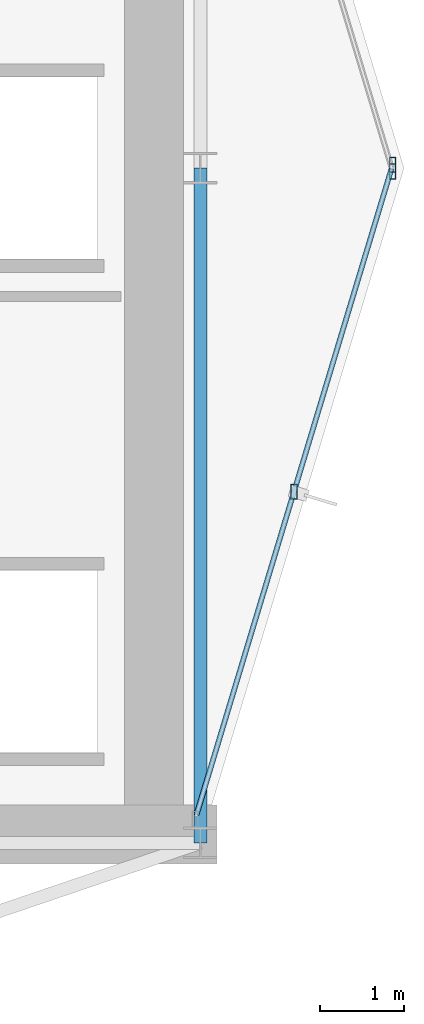
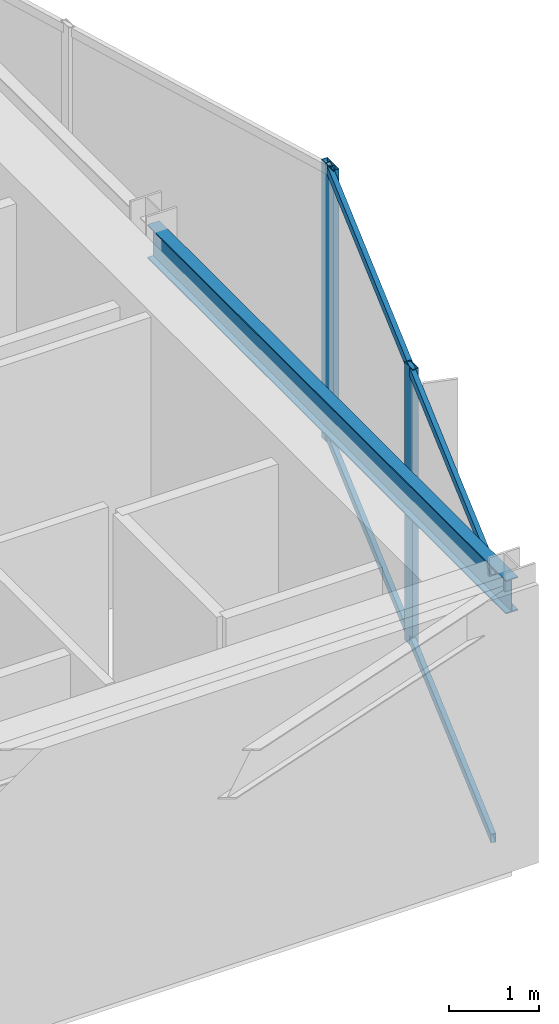
# One storey, part 14 of 24: 5 members, 1 beam, 2 elements without a shape of their own.
"""IFC4 building model written with IfcOpenShell, lengths in metres."""

from ifc_helpers import new_model, si_unit, direction, frame, origin, origin_2d, place, context, subcontext, project, spatial, hollow_rectangle, i_section, extrude, material, layer, layer_set, material_profile, profile_set, type_object, element, aggregate, save


model = new_model("IFC4")

# Units and contexts
model_context = context("Model", 3, precision=1e-05, world=origin(), true_north=direction((0.0, 1.0)))
body_context = subcontext(model_context, "Body", "Model", "MODEL_VIEW")
ifc_project = project(units=[si_unit("LENGTHUNIT", "METRE"), si_unit("AREAUNIT", "SQUARE_METRE"), si_unit("VOLUMEUNIT", "CUBIC_METRE"), si_unit("PLANEANGLEUNIT", "RADIAN"), si_unit("MASSUNIT", "GRAM", prefix="KILO")], contexts=[model_context])

# Site, building, storey
site_placement = place(None, origin())
site = spatial("IfcSite", under=ifc_project, at=site_placement, CompositionType="ELEMENT")
building_placement = place(site_placement, origin())
building = spatial("IfcBuilding", under=site, at=building_placement, Name="Veymaron Broadcast Tower", CompositionType="ELEMENT")
storey_placement = place(building_placement, frame((0.0, 0.0, 220.199951171875)))
storey = spatial("IfcBuildingStorey", under=building, at=storey_placement, Name="L51", CompositionType="ELEMENT", Elevation=220.199951171875)

# Beam
ifc_material_1 = material(Name="Structural steel ASTM A992 Gr 50", Category="steel")
ifc_material_profile_1 = material_profile(ifc_material_1, i_section(OverallWidth=0.154052734375, OverallDepth=0.458984375, WebThickness=0.009033203125, FlangeThickness=0.015380859375, at=origin_2d()), Name="W460X68")
ifc_profile_set_1 = profile_set([ifc_material_profile_1], Name="Structural steel ASTM A992 Gr 50")
beam_type = type_object("IfcBeamType", Name="BM-SP2", PredefinedType="SPANDREL", material=ifc_profile_set_1)
beam_placement = place(storey_placement, frame((54.60009765625, 16.0, 3.560546875), z_axis=(0.0, 1.0, 0.0), x_axis=(-1.0, 0.0, 0.0)))
element("IfcBeam", 1, at=beam_placement, inside=storey, type_object=beam_type, Name="L51 primary structural floor girder", PredefinedType="SPANDREL", context=body_context, shape_type="SweptSolid", body=[
    extrude(i_section(OverallWidth=0.154052734375, OverallDepth=0.458984375, WebThickness=0.009033203125, FlangeThickness=0.015380859375, at=origin_2d()), origin(), (0.0, 0.0, 1.0), 8.0),
])

# Curtain wall, members
ifc_material_2 = material(Name="Anodised aluminium AA 6063-T6 and laminated low-E dark glass", Category="aluminium")
ifc_layer = layer(ifc_material_2, 0.179931640625)
ifc_layer_set = layer_set([ifc_layer], Name="Anodised aluminium AA 6063-T6 and laminated low-E dark glass")
curtain_wall_type = type_object("IfcCurtainWallType", Name="CW-SYS-05", PredefinedType="NOTDEFINED", material=ifc_layer_set)
curtain_wall_1_placement = place(storey_placement, origin())
curtain_wall_1 = element("IfcCurtainWall", 2, at=curtain_wall_1_placement, inside=storey, type_object=curtain_wall_type, Name="L51 dark-glass curtain wall CW-L51-E2-1", PredefinedType="NOTDEFINED")
ifc_material_3 = material(Name="Anodised aluminium AA 6063-T6", Category="aluminium")
ifc_material_profile_2 = material_profile(ifc_material_3, hollow_rectangle(XDim=0.074951171875, YDim=0.179931640625, WallThickness=0.0048828125, at=origin_2d()), Name="AL180X75X5")
ifc_profile_set_2 = profile_set([ifc_material_profile_2], Name="Anodised aluminium AA 6063-T6")
member_type_1 = type_object("IfcMemberType", Name="CW-MUL-02", PredefinedType="MULLION", material=ifc_profile_set_2)
member_1_placement = place(storey_placement, frame((55.710205078125, 20.162353515625, 0.0), z_axis=(0.0, 0.0, 1.0), x_axis=(1.0, 0.0, 0.0)))
member_1 = element("IfcMember", 3, at=member_1_placement, type_object=member_type_1, Name="CW-L51-E2-1 mullion 1", PredefinedType="MULLION", context=body_context, shape_type="SweptSolid", body=[
    extrude(hollow_rectangle(XDim=0.074951171875, YDim=0.179931640625, WallThickness=0.0048828125, at=origin_2d()), origin(), (0.0, 0.0, 1.0), 3.7900390625),
])
member_2_placement = place(storey_placement, frame((56.881103515625, 24.04052734375, 0.0), z_axis=(0.0, 0.0, 1.0), x_axis=(1.0, 0.0, 0.0)))
member_2 = element("IfcMember", 4, at=member_2_placement, type_object=member_type_1, Name="CW-L51-E2-1 mullion 2", PredefinedType="MULLION", context=body_context, shape_type="SweptSolid", body=[
    extrude(hollow_rectangle(XDim=0.074951171875, YDim=0.179931640625, WallThickness=0.0048828125, at=origin_2d()), origin(), (0.0, 0.0, 1.0), 3.7900390625),
])

# Curtain wall, member
curtain_wall_2_placement = place(storey_placement, origin())
curtain_wall_2 = element("IfcCurtainWall", 5, at=curtain_wall_2_placement, inside=storey, type_object=curtain_wall_type, Name="L51 dark-glass curtain wall CW-L51-E3-1", PredefinedType="NOTDEFINED")
member_3_placement = place(storey_placement, frame((56.881103515625, 23.95947265625, 0.0), z_axis=(0.0, 0.0, 1.0), x_axis=(1.0, 0.0, 0.0)))
member_3 = element("IfcMember", 6, at=member_3_placement, type_object=member_type_1, Name="CW-L51-E3-1 mullion 0", PredefinedType="MULLION", context=body_context, shape_type="SweptSolid", body=[
    extrude(hollow_rectangle(XDim=0.074951171875, YDim=0.179931640625, WallThickness=0.0048828125, at=origin_2d()), origin(), (0.0, 0.0, 1.0), 3.7900390625),
])
aggregate(curtain_wall_2, [member_3])

# Member
ifc_material_profile_3 = material_profile(ifc_material_3, hollow_rectangle(XDim=0.06005859375, YDim=0.1201171875, WallThickness=0.00390625, at=origin_2d()), Name="AL120X60X4")
ifc_profile_set_3 = profile_set([ifc_material_profile_3], Name="Anodised aluminium AA 6063-T6")
member_type_2 = type_object("IfcMemberType", Name="CW-TRN-02", PredefinedType="USERDEFINED", material=ifc_profile_set_3)
member_4_placement = place(storey_placement, frame((54.553955078125, 16.331787109375, 0.070068359375), z_axis=(0.289007229702, 0.957326914476, 0.0), x_axis=(-0.957326914476, 0.289007229702, 0.0)))
member_4 = element("IfcMember", 7, at=member_4_placement, type_object=member_type_2, Name="CW-L51-E2-1 transom B", ObjectType="TRANSOM", PredefinedType="USERDEFINED", context=body_context, shape_type="SweptSolid", body=[
    extrude(hollow_rectangle(XDim=0.06005859375, YDim=0.1201171875, WallThickness=0.00390625, at=origin_2d()), origin(), (0.0, 0.0, 1.0), 8.00244140625),
])

member_5_placement = place(storey_placement, frame((54.553955078125, 16.331787109375, 3.719970703125), z_axis=(0.289007229702, 0.957326914476, 0.0), x_axis=(-0.957326914476, 0.289007229702, 0.0)))
member_5 = element("IfcMember", 8, at=member_5_placement, type_object=member_type_2, Name="CW-L51-E2-1 transom T", ObjectType="TRANSOM", PredefinedType="USERDEFINED", context=body_context, shape_type="SweptSolid", body=[
    extrude(hollow_rectangle(XDim=0.06005859375, YDim=0.1201171875, WallThickness=0.00390625, at=origin_2d()), origin(), (0.0, 0.0, 1.0), 8.00244140625),
])

aggregate(curtain_wall_1, [member_1, member_2, member_4, member_5])

save(model, "model.ifc")
